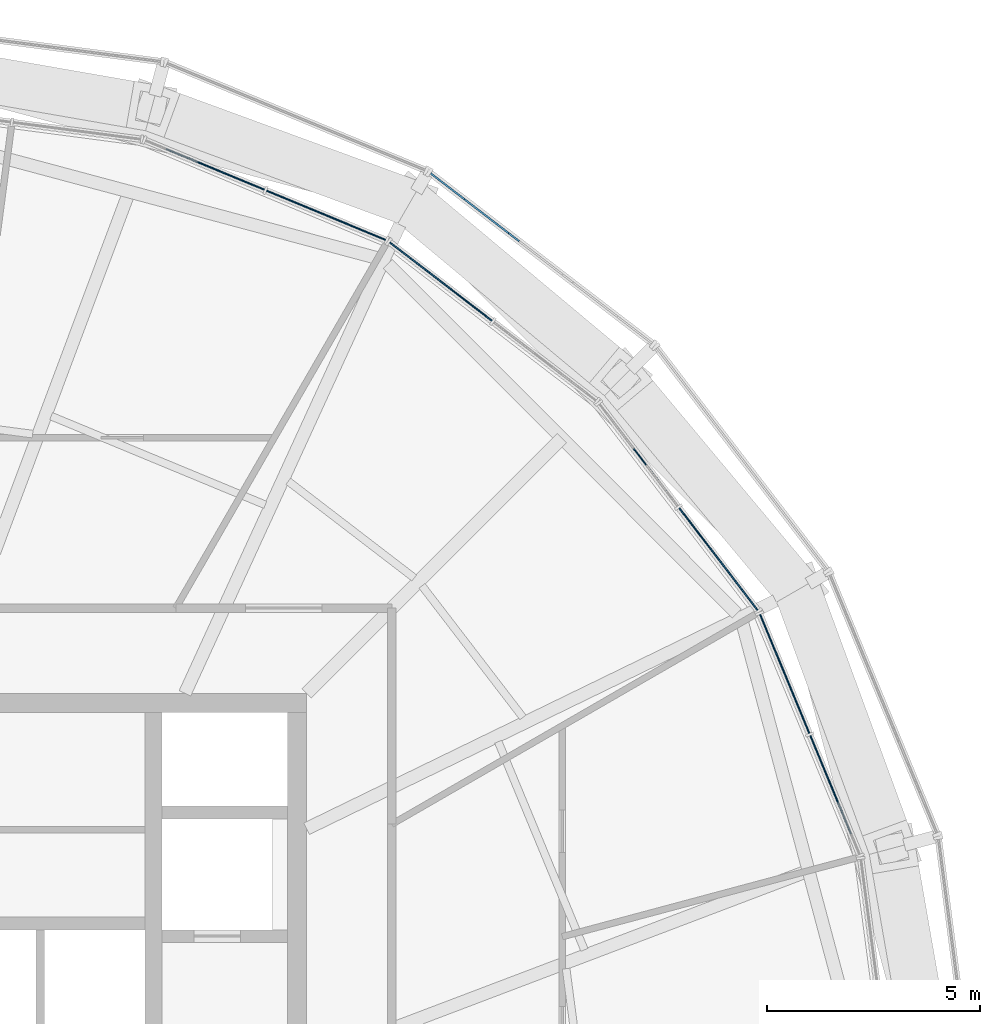
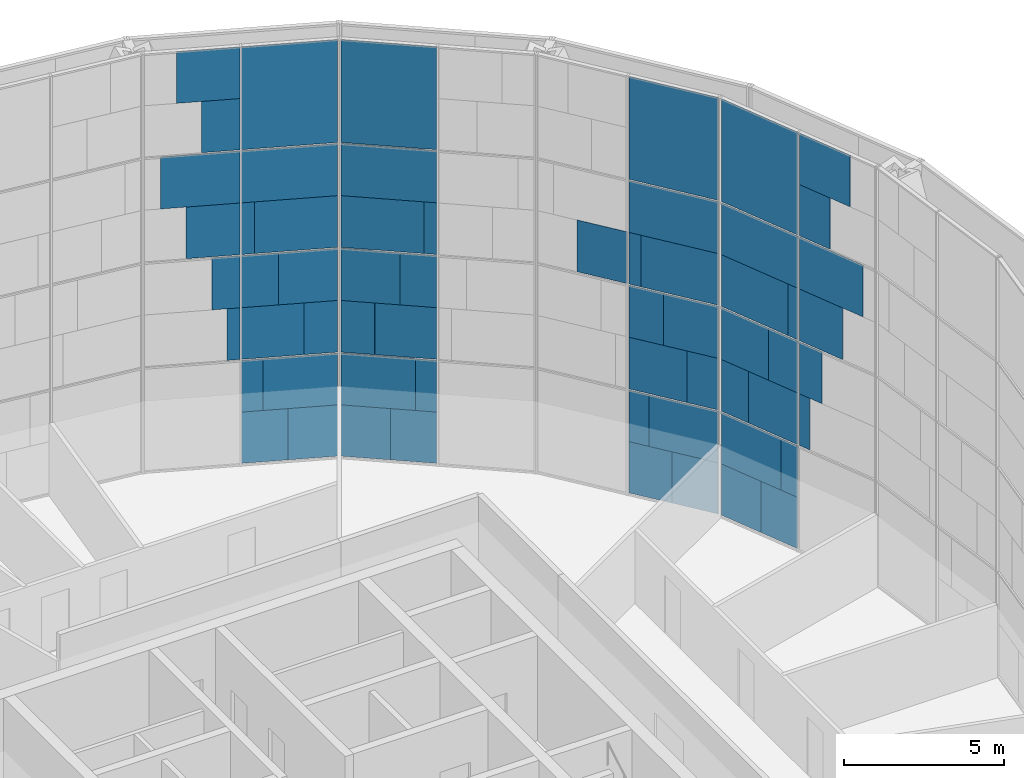
# One storey, part 23 of 28: 64 plates, 5 elements without a shape of their own.
"""IFC4 building model written with IfcOpenShell, lengths in metres."""

from ifc_helpers import new_model, si_unit, direction, frame, origin, origin_2d, place, context, subcontext, project, spatial, rectangle, extrude, material, layer, layer_set, type_object, element, aggregate, save


model = new_model("IFC4")

# Units and contexts
model_context = context("Model", 3, precision=1e-05, world=origin(), true_north=direction((0.0, 1.0)))
body_context = subcontext(model_context, "Body", "Model", "MODEL_VIEW")
ifc_project = project(units=[si_unit("LENGTHUNIT", "METRE"), si_unit("AREAUNIT", "SQUARE_METRE"), si_unit("VOLUMEUNIT", "CUBIC_METRE"), si_unit("PLANEANGLEUNIT", "RADIAN"), si_unit("MASSUNIT", "GRAM", prefix="KILO")], contexts=[model_context])

# Site, building, storey
site_placement = place(None, origin())
site = spatial("IfcSite", under=ifc_project, at=site_placement, CompositionType="ELEMENT")
building_placement = place(site_placement, origin())
building = spatial("IfcBuilding", under=site, at=building_placement, Name="Golbaran Civic Tower", CompositionType="ELEMENT")
storey_placement = place(building_placement, frame((0.0, 0.0, 183.0)))
storey = spatial("IfcBuildingStorey", under=building, at=storey_placement, Name="L44", CompositionType="ELEMENT", Elevation=183.0)

# Curtain wall, plates
ifc_material_1 = material(Name="Aluminium and glass", Category="aluminium")
curtain_wall_type_1 = type_object("IfcCurtainWallType", Name="INNER SKIN CURTAIN WALL EXECUTIVE", PredefinedType="NOTDEFINED", material=ifc_material_1)
curtain_wall_1_placement = place(storey_placement, origin())
curtain_wall_1 = element("IfcCurtainWall", 1, at=curtain_wall_1_placement, inside=storey, type_object=curtain_wall_type_1, Name="Inner skin L44 facet 2 CW2", ObjectType="INNER SKIN", PredefinedType="USERDEFINED")
ifc_material_2 = material(Name="Clear insulating glass", Category="glass")
ifc_layer_1 = layer(ifc_material_2, 0.031982421875, Name="Clear insulating glass")
ifc_layer_set_1 = layer_set([ifc_layer_1], Name="Clear insulating glass")
plate_type_1 = type_object("IfcPlateType", Name="INNER SKIN CURTAIN WALL EXECUTIVE GLAZED PANEL", PredefinedType="CURTAIN_PANEL", material=ifc_layer_set_1)
plate_1_placement = place(storey_placement, frame((22.053955078125, 8.44873046875, 12.030029296875), z_axis=(0.0, 0.0, 1.0), x_axis=(-0.382683432413, 0.923879532491, 0.0)))
plate_1 = element("IfcPlate", 2, at=plate_1_placement, type_object=plate_type_1, Name="CW2 panel 1.4 part 2", PredefinedType="CURTAIN_PANEL", context=body_context, shape_type="SweptSolid", body=[
    extrude(rectangle(XDim=1.2080078125, YDim=0.031982421875, at=origin_2d()), origin(), (0.0, 0.0, 1.0), 1.955078125),
])
plate_2_placement = place(storey_placement, frame((22.20458984375, 8.084716796875, 13.98486328125), z_axis=(0.0, 0.0, 1.0), x_axis=(-0.382683432413, 0.923879532491, 0.0)))
plate_2 = element("IfcPlate", 3, at=plate_2_placement, type_object=plate_type_1, Name="CW2 panel 1.4 part 4", PredefinedType="CURTAIN_PANEL", context=body_context, shape_type="SweptSolid", body=[
    extrude(rectangle(XDim=1.99609375, YDim=0.031982421875, at=origin_2d()), origin(), (0.0, 0.0, 1.0), 1.955078125),
])
plate_3_placement = place(storey_placement, frame((21.5205078125, 9.736083984375, 0.06005859375), z_axis=(0.0, 0.0, 1.0), x_axis=(-0.382683432413, 0.923879532491, 0.0)))
plate_3 = element("IfcPlate", 4, at=plate_3_placement, type_object=plate_type_1, Name="CW2 panel 2.1 part 1", PredefinedType="CURTAIN_PANEL", context=body_context, shape_type="SweptSolid", body=[
    extrude(rectangle(XDim=1.458984375, YDim=0.031982421875, at=origin_2d()), origin(), (0.0, 0.0, 1.0), 1.955078125),
])
plate_4_placement = place(storey_placement, frame((21.671630859375, 9.371826171875, 2.014892578125), z_axis=(0.0, 0.0, 1.0), x_axis=(-0.382683432413, 0.923879532491, 0.0)))
plate_4 = element("IfcPlate", 5, at=plate_4_placement, type_object=plate_type_1, Name="CW2 panel 2.1 part 3", PredefinedType="CURTAIN_PANEL", context=body_context, shape_type="SweptSolid", body=[
    extrude(rectangle(XDim=0.669921875, YDim=0.031982421875, at=origin_2d()), origin(), (0.0, 0.0, 1.0), 1.955078125),
])
plate_5_placement = place(storey_placement, frame((20.84765625, 11.36083984375, 4.02978515625), z_axis=(0.0, 0.0, 1.0), x_axis=(-0.382683432413, 0.923879532491, 0.0)))
plate_5 = element("IfcPlate", 6, at=plate_5_placement, type_object=plate_type_1, Name="CW2 panel 2.2 part 2", PredefinedType="CURTAIN_PANEL", context=body_context, shape_type="SweptSolid", body=[
    extrude(rectangle(XDim=1.06005859375, YDim=0.031982421875, at=origin_2d()), origin(), (0.0, 0.0, 1.0), 1.969970703125),
])
plate_6_placement = place(storey_placement, frame((20.999755859375, 10.99365234375, 6.0), z_axis=(0.0, 0.0, 1.0), x_axis=(-0.382683432413, 0.923879532491, 0.0)))
plate_6 = element("IfcPlate", 7, at=plate_6_placement, type_object=plate_type_1, Name="CW2 panel 2.2 part 4", PredefinedType="CURTAIN_PANEL", context=body_context, shape_type="SweptSolid", body=[
    extrude(rectangle(XDim=1.85498046875, YDim=0.031982421875, at=origin_2d()), origin(), (0.0, 0.0, 1.0), 1.969970703125),
])
plate_7_placement = place(storey_placement, frame((21.1455078125, 10.6416015625, 8.02978515625), z_axis=(0.0, 0.0, 1.0), x_axis=(-0.382683432413, 0.923879532491, 0.0)))
plate_7 = element("IfcPlate", 8, at=plate_7_placement, type_object=plate_type_1, Name="CW2 panel 2.3 part 2", PredefinedType="CURTAIN_PANEL", context=body_context, shape_type="SweptSolid", body=[
    extrude(rectangle(XDim=2.6171875, YDim=0.031982421875, at=origin_2d()), origin(), (0.0, 0.0, 1.0), 1.969970703125),
])
plate_8_placement = place(storey_placement, frame((21.22216796875, 10.456298828125, 10.0), z_axis=(0.0, 0.0, 1.0), x_axis=(-0.382683432413, 0.923879532491, 0.0)))
plate_8 = element("IfcPlate", 9, at=plate_8_placement, type_object=plate_type_1, Name="CW2 panel 2.3 part 3", PredefinedType="CURTAIN_PANEL", context=body_context, shape_type="SweptSolid", body=[
    extrude(rectangle(XDim=3.01806640625, YDim=0.031982421875, at=origin_2d()), origin(), (0.0, 0.0, 1.0), 1.969970703125),
])
plate_9_placement = place(storey_placement, frame((21.22216796875, 10.456298828125, 12.0302734375), z_axis=(0.0, 0.0, 1.0), x_axis=(-0.382683432413, 0.923879532491, 0.0)))
plate_9 = element("IfcPlate", 10, at=plate_9_placement, type_object=plate_type_1, Name="CW2 panel 2.4", PredefinedType="CURTAIN_PANEL", context=body_context, shape_type="SweptSolid", body=[
    extrude(rectangle(XDim=3.01806640625, YDim=0.031982421875, at=origin_2d()), origin(), (0.0, 0.0, 1.0), 3.909912109375),
])

curtain_wall_2_placement = place(storey_placement, origin())
curtain_wall_2 = element("IfcCurtainWall", 11, at=curtain_wall_2_placement, inside=storey, type_object=curtain_wall_type_1, Name="Inner skin L44 facet 3 CW2", ObjectType="INNER SKIN", PredefinedType="USERDEFINED")
plate_10_placement = place(storey_placement, frame((19.192138671875, 13.769287109375, 0.06005859375), z_axis=(0.0, 0.0, 1.0), x_axis=(-0.608761428953, 0.793353340334, 0.0)))
plate_10 = element("IfcPlate", 12, at=plate_10_placement, type_object=plate_type_1, Name="CW2 panel 1.1 part 2", PredefinedType="CURTAIN_PANEL", context=body_context, shape_type="SweptSolid", body=[
    extrude(rectangle(XDim=1.458984375, YDim=0.031982421875, at=origin_2d()), origin(), (0.0, 0.0, 1.0), 1.955078125),
])
plate_11_placement = place(storey_placement, frame((18.951904296875, 14.082275390625, 2.014892578125), z_axis=(0.0, 0.0, 1.0), x_axis=(-0.608761428953, 0.793353340334, 0.0)))
plate_11 = element("IfcPlate", 13, at=plate_11_placement, type_object=plate_type_1, Name="CW2 panel 1.1 part 4", PredefinedType="CURTAIN_PANEL", context=body_context, shape_type="SweptSolid", body=[
    extrude(rectangle(XDim=0.670166015625, YDim=0.031982421875, at=origin_2d()), origin(), (0.0, 0.0, 1.0), 1.955078125),
])
plate_12_placement = place(storey_placement, frame((20.2626953125, 12.3740234375, 4.02978515625), z_axis=(0.0, 0.0, 1.0), x_axis=(-0.608761428953, 0.793353340334, 0.0)))
plate_12 = element("IfcPlate", 14, at=plate_12_placement, type_object=plate_type_1, Name="CW2 panel 1.2 part 1", PredefinedType="CURTAIN_PANEL", context=body_context, shape_type="SweptSolid", body=[
    extrude(rectangle(XDim=1.06005859375, YDim=0.031982421875, at=origin_2d()), origin(), (0.0, 0.0, 1.0), 1.969970703125),
])
plate_13_placement = place(storey_placement, frame((20.020751953125, 12.689453125, 6.0), z_axis=(0.0, 0.0, 1.0), x_axis=(-0.608761428953, 0.793353340334, 0.0)))
plate_13 = element("IfcPlate", 15, at=plate_13_placement, type_object=plate_type_1, Name="CW2 panel 1.2 part 3", PredefinedType="CURTAIN_PANEL", context=body_context, shape_type="SweptSolid", body=[
    extrude(rectangle(XDim=1.85498046875, YDim=0.031982421875, at=origin_2d()), origin(), (0.0, 0.0, 1.0), 1.969970703125),
])
plate_14_placement = place(storey_placement, frame((19.788818359375, 12.99169921875, 8.02978515625), z_axis=(0.0, 0.0, 1.0), x_axis=(-0.608761428953, 0.793353340334, 0.0)))
plate_14 = element("IfcPlate", 16, at=plate_14_placement, type_object=plate_type_1, Name="CW2 panel 1.3 part 1", PredefinedType="CURTAIN_PANEL", context=body_context, shape_type="SweptSolid", body=[
    extrude(rectangle(XDim=2.616943359375, YDim=0.031982421875, at=origin_2d()), origin(), (0.0, 0.0, 1.0), 1.969970703125),
])
plate_15_placement = place(storey_placement, frame((19.66650390625, 13.15087890625, 10.0), z_axis=(0.0, 0.0, 1.0), x_axis=(-0.608761428953, 0.793353340334, 0.0)))
plate_15 = element("IfcPlate", 17, at=plate_15_placement, type_object=plate_type_1, Name="CW2 panel 1.3 part 3", PredefinedType="CURTAIN_PANEL", context=body_context, shape_type="SweptSolid", body=[
    extrude(rectangle(XDim=3.01806640625, YDim=0.031982421875, at=origin_2d()), origin(), (0.0, 0.0, 1.0), 1.969970703125),
])
plate_16_placement = place(storey_placement, frame((19.66650390625, 13.15087890625, 12.0302734375), z_axis=(0.0, 0.0, 1.0), x_axis=(-0.608761428953, 0.793353340334, 0.0)))
plate_16 = element("IfcPlate", 18, at=plate_16_placement, type_object=plate_type_1, Name="CW2 panel 1.4", PredefinedType="CURTAIN_PANEL", context=body_context, shape_type="SweptSolid", body=[
    extrude(rectangle(XDim=3.01806640625, YDim=0.031982421875, at=origin_2d()), origin(), (0.0, 0.0, 1.0), 3.909912109375),
])

curtain_wall_3_placement = place(storey_placement, origin())
curtain_wall_3 = element("IfcCurtainWall", 19, at=curtain_wall_3_placement, inside=storey, type_object=curtain_wall_type_1, Name="Inner skin L44 facet 4 CW2", ObjectType="INNER SKIN", PredefinedType="USERDEFINED")
plate_17_placement = place(storey_placement, frame((13.769287109375, 19.192138671875, 0.06005859375), z_axis=(0.0, 0.0, 1.0), x_axis=(-0.793353340334, 0.608761428953, 0.0)))
plate_17 = element("IfcPlate", 20, at=plate_17_placement, type_object=plate_type_1, Name="CW2 panel 2.1 part 1", PredefinedType="CURTAIN_PANEL", context=body_context, shape_type="SweptSolid", body=[
    extrude(rectangle(XDim=1.458984375, YDim=0.031982421875, at=origin_2d()), origin(), (0.0, 0.0, 1.0), 1.955078125),
])
plate_18_placement = place(storey_placement, frame((14.082275390625, 18.951904296875, 2.014892578125), z_axis=(0.0, 0.0, 1.0), x_axis=(-0.793353340334, 0.608761428953, 0.0)))
plate_18 = element("IfcPlate", 21, at=plate_18_placement, type_object=plate_type_1, Name="CW2 panel 2.1 part 3", PredefinedType="CURTAIN_PANEL", context=body_context, shape_type="SweptSolid", body=[
    extrude(rectangle(XDim=0.669921875, YDim=0.031982421875, at=origin_2d()), origin(), (0.0, 0.0, 1.0), 1.955078125),
])
plate_19_placement = place(storey_placement, frame((12.3740234375, 20.2626953125, 4.02978515625), z_axis=(0.0, 0.0, 1.0), x_axis=(-0.793353340334, 0.608761428953, 0.0)))
plate_19 = element("IfcPlate", 22, at=plate_19_placement, type_object=plate_type_1, Name="CW2 panel 2.2 part 2", PredefinedType="CURTAIN_PANEL", context=body_context, shape_type="SweptSolid", body=[
    extrude(rectangle(XDim=1.06005859375, YDim=0.031982421875, at=origin_2d()), origin(), (0.0, 0.0, 1.0), 1.969970703125),
])
plate_20_placement = place(storey_placement, frame((12.689453125, 20.0205078125, 6.0), z_axis=(0.0, 0.0, 1.0), x_axis=(-0.793353340334, 0.608761428953, 0.0)))
plate_20 = element("IfcPlate", 23, at=plate_20_placement, type_object=plate_type_1, Name="CW2 panel 2.2 part 4", PredefinedType="CURTAIN_PANEL", context=body_context, shape_type="SweptSolid", body=[
    extrude(rectangle(XDim=1.85498046875, YDim=0.031982421875, at=origin_2d()), origin(), (0.0, 0.0, 1.0), 1.969970703125),
])
plate_21_placement = place(storey_placement, frame((12.99169921875, 19.78857421875, 8.02978515625), z_axis=(0.0, 0.0, 1.0), x_axis=(-0.793353340334, 0.608761428953, 0.0)))
plate_21 = element("IfcPlate", 24, at=plate_21_placement, type_object=plate_type_1, Name="CW2 panel 2.3 part 2", PredefinedType="CURTAIN_PANEL", context=body_context, shape_type="SweptSolid", body=[
    extrude(rectangle(XDim=2.6171875, YDim=0.031982421875, at=origin_2d()), origin(), (0.0, 0.0, 1.0), 1.969970703125),
])
plate_22_placement = place(storey_placement, frame((13.15087890625, 19.66650390625, 10.0), z_axis=(0.0, 0.0, 1.0), x_axis=(-0.793353340334, 0.608761428953, 0.0)))
plate_22 = element("IfcPlate", 25, at=plate_22_placement, type_object=plate_type_1, Name="CW2 panel 2.3 part 3", PredefinedType="CURTAIN_PANEL", context=body_context, shape_type="SweptSolid", body=[
    extrude(rectangle(XDim=3.01806640625, YDim=0.031982421875, at=origin_2d()), origin(), (0.0, 0.0, 1.0), 1.969970703125),
])
plate_23_placement = place(storey_placement, frame((13.15087890625, 19.66650390625, 12.0302734375), z_axis=(0.0, 0.0, 1.0), x_axis=(-0.793353340334, 0.608761428953, 0.0)))
plate_23 = element("IfcPlate", 26, at=plate_23_placement, type_object=plate_type_1, Name="CW2 panel 2.4", PredefinedType="CURTAIN_PANEL", context=body_context, shape_type="SweptSolid", body=[
    extrude(rectangle(XDim=3.01806640625, YDim=0.031982421875, at=origin_2d()), origin(), (0.0, 0.0, 1.0), 3.909912109375),
])

curtain_wall_4_placement = place(storey_placement, origin())
curtain_wall_4 = element("IfcCurtainWall", 27, at=curtain_wall_4_placement, inside=storey, type_object=curtain_wall_type_1, Name="Inner skin L44 facet 5 CW2", ObjectType="INNER SKIN", PredefinedType="USERDEFINED")
plate_24_placement = place(storey_placement, frame((9.736328125, 21.5205078125, 0.06005859375), z_axis=(0.0, 0.0, 1.0), x_axis=(-0.923879532491, 0.382683432413, 0.0)))
plate_24 = element("IfcPlate", 28, at=plate_24_placement, type_object=plate_type_1, Name="CW2 panel 1.1 part 2", PredefinedType="CURTAIN_PANEL", context=body_context, shape_type="SweptSolid", body=[
    extrude(rectangle(XDim=1.458984375, YDim=0.031982421875, at=origin_2d()), origin(), (0.0, 0.0, 1.0), 1.955078125),
])
plate_25_placement = place(storey_placement, frame((9.371826171875, 21.671630859375, 2.014892578125), z_axis=(0.0, 0.0, 1.0), x_axis=(-0.923879532491, 0.382683432413, 0.0)))
plate_25 = element("IfcPlate", 29, at=plate_25_placement, type_object=plate_type_1, Name="CW2 panel 1.1 part 4", PredefinedType="CURTAIN_PANEL", context=body_context, shape_type="SweptSolid", body=[
    extrude(rectangle(XDim=0.670166015625, YDim=0.031982421875, at=origin_2d()), origin(), (0.0, 0.0, 1.0), 1.955078125),
])
plate_26_placement = place(storey_placement, frame((11.36083984375, 20.84765625, 4.02978515625), z_axis=(0.0, 0.0, 1.0), x_axis=(-0.923879532491, 0.382683432413, 0.0)))
plate_26 = element("IfcPlate", 30, at=plate_26_placement, type_object=plate_type_1, Name="CW2 panel 1.2 part 1", PredefinedType="CURTAIN_PANEL", context=body_context, shape_type="SweptSolid", body=[
    extrude(rectangle(XDim=1.06005859375, YDim=0.031982421875, at=origin_2d()), origin(), (0.0, 0.0, 1.0), 1.969970703125),
])
plate_27_placement = place(storey_placement, frame((10.99365234375, 20.999755859375, 6.0), z_axis=(0.0, 0.0, 1.0), x_axis=(-0.923879532491, 0.382683432413, 0.0)))
plate_27 = element("IfcPlate", 31, at=plate_27_placement, type_object=plate_type_1, Name="CW2 panel 1.2 part 3", PredefinedType="CURTAIN_PANEL", context=body_context, shape_type="SweptSolid", body=[
    extrude(rectangle(XDim=1.85498046875, YDim=0.031982421875, at=origin_2d()), origin(), (0.0, 0.0, 1.0), 1.969970703125),
])
plate_28_placement = place(storey_placement, frame((10.6416015625, 21.1455078125, 8.02978515625), z_axis=(0.0, 0.0, 1.0), x_axis=(-0.923879532491, 0.382683432413, 0.0)))
plate_28 = element("IfcPlate", 32, at=plate_28_placement, type_object=plate_type_1, Name="CW2 panel 1.3 part 1", PredefinedType="CURTAIN_PANEL", context=body_context, shape_type="SweptSolid", body=[
    extrude(rectangle(XDim=2.616943359375, YDim=0.031982421875, at=origin_2d()), origin(), (0.0, 0.0, 1.0), 1.969970703125),
])
plate_29_placement = place(storey_placement, frame((10.456298828125, 21.22216796875, 10.0), z_axis=(0.0, 0.0, 1.0), x_axis=(-0.923879532491, 0.382683432413, 0.0)))
plate_29 = element("IfcPlate", 33, at=plate_29_placement, type_object=plate_type_1, Name="CW2 panel 1.3 part 3", PredefinedType="CURTAIN_PANEL", context=body_context, shape_type="SweptSolid", body=[
    extrude(rectangle(XDim=3.01806640625, YDim=0.031982421875, at=origin_2d()), origin(), (0.0, 0.0, 1.0), 1.969970703125),
])
plate_30_placement = place(storey_placement, frame((10.456298828125, 21.22216796875, 12.0302734375), z_axis=(0.0, 0.0, 1.0), x_axis=(-0.923879532491, 0.382683432413, 0.0)))
plate_30 = element("IfcPlate", 34, at=plate_30_placement, type_object=plate_type_1, Name="CW2 panel 1.4", PredefinedType="CURTAIN_PANEL", context=body_context, shape_type="SweptSolid", body=[
    extrude(rectangle(XDim=3.01806640625, YDim=0.031982421875, at=origin_2d()), origin(), (0.0, 0.0, 1.0), 3.909912109375),
])
plate_31_placement = place(storey_placement, frame((8.44873046875, 22.0537109375, 12.030029296875), z_axis=(0.0, 0.0, 1.0), x_axis=(-0.923879532491, 0.382683432413, 0.0)))
plate_31 = element("IfcPlate", 35, at=plate_31_placement, type_object=plate_type_1, Name="CW2 panel 2.4 part 1", PredefinedType="CURTAIN_PANEL", context=body_context, shape_type="SweptSolid", body=[
    extrude(rectangle(XDim=1.2080078125, YDim=0.031982421875, at=origin_2d()), origin(), (0.0, 0.0, 1.0), 1.955078125),
])
plate_32_placement = place(storey_placement, frame((8.084716796875, 22.20458984375, 13.98486328125), z_axis=(0.0, 0.0, 1.0), x_axis=(-0.923879532491, 0.382683432413, 0.0)))
plate_32 = element("IfcPlate", 36, at=plate_32_placement, type_object=plate_type_1, Name="CW2 panel 2.4 part 3", PredefinedType="CURTAIN_PANEL", context=body_context, shape_type="SweptSolid", body=[
    extrude(rectangle(XDim=1.99609375, YDim=0.031982421875, at=origin_2d()), origin(), (0.0, 0.0, 1.0), 1.955078125),
])

# Plate
ifc_material_3 = material(Name="Aluminium faced opaque infill panel", Category="aluminium")
ifc_layer_2 = layer(ifc_material_3, 0.031982421875, Name="Aluminium faced opaque infill panel")
ifc_layer_set_2 = layer_set([ifc_layer_2], Name="Aluminium faced opaque infill panel")
plate_type_2 = type_object("IfcPlateType", Name="INNER SKIN CURTAIN WALL EXECUTIVE OPAQUE INFILL PANEL", PredefinedType="CURTAIN_PANEL", material=ifc_layer_set_2)
plate_33_placement = place(storey_placement, frame((21.8994140625, 8.821533203125, 4.02978515625), z_axis=(0.0, 0.0, 1.0), x_axis=(-0.382683432413, 0.923879532491, 0.0)))
plate_33 = element("IfcPlate", 37, at=plate_33_placement, type_object=plate_type_2, Name="CW2 infill panel 1.2 part 2", PredefinedType="CURTAIN_PANEL", context=body_context, shape_type="SweptSolid", body=[
    extrude(rectangle(XDim=0.401123046875, YDim=0.031982421875, at=origin_2d()), origin(), (0.0, 0.0, 1.0), 1.969970703125),
])

plate_34_placement = place(storey_placement, frame((21.991455078125, 8.599365234375, 6.0), z_axis=(0.0, 0.0, 1.0), x_axis=(-0.382683432413, 0.923879532491, 0.0)))
plate_34 = element("IfcPlate", 38, at=plate_34_placement, type_object=plate_type_2, Name="CW2 infill panel 1.2 part 4", PredefinedType="CURTAIN_PANEL", context=body_context, shape_type="SweptSolid", body=[
    extrude(rectangle(XDim=0.882080078125, YDim=0.031982421875, at=origin_2d()), origin(), (0.0, 0.0, 1.0), 1.969970703125),
])

plate_35_placement = place(storey_placement, frame((22.148193359375, 8.220947265625, 8.02978515625), z_axis=(0.0, 0.0, 1.0), x_axis=(-0.382683432413, 0.923879532491, 0.0)))
plate_35 = element("IfcPlate", 39, at=plate_35_placement, type_object=plate_type_2, Name="CW2 infill panel 1.3 part 2", PredefinedType="CURTAIN_PANEL", context=body_context, shape_type="SweptSolid", body=[
    extrude(rectangle(XDim=1.701171875, YDim=0.031982421875, at=origin_2d()), origin(), (0.0, 0.0, 1.0), 1.969970703125),
])

plate_36_placement = place(storey_placement, frame((22.300048828125, 7.854248046875, 10.0), z_axis=(0.0, 0.0, 1.0), x_axis=(-0.382683432413, 0.923879532491, 0.0)))
plate_36 = element("IfcPlate", 40, at=plate_36_placement, type_object=plate_type_2, Name="CW2 infill panel 1.3 part 4", PredefinedType="CURTAIN_PANEL", context=body_context, shape_type="SweptSolid", body=[
    extrude(rectangle(XDim=2.4951171875, YDim=0.031982421875, at=origin_2d()), origin(), (0.0, 0.0, 1.0), 1.969970703125),
])

plate_37_placement = place(storey_placement, frame((20.943115234375, 11.13037109375, 0.06005859375), z_axis=(0.0, 0.0, 1.0), x_axis=(-0.382683432413, 0.923879532491, 0.0)))
plate_37 = element("IfcPlate", 41, at=plate_37_placement, type_object=plate_type_2, Name="CW2 infill panel 2.1 part 2", PredefinedType="CURTAIN_PANEL", context=body_context, shape_type="SweptSolid", body=[
    extrude(rectangle(XDim=1.55908203125, YDim=0.031982421875, at=origin_2d()), origin(), (0.0, 0.0, 1.0), 1.955078125),
])

plate_38_placement = place(storey_placement, frame((21.093994140625, 10.765869140625, 2.014892578125), z_axis=(0.0, 0.0, 1.0), x_axis=(-0.382683432413, 0.923879532491, 0.0)))
plate_38 = element("IfcPlate", 42, at=plate_38_placement, type_object=plate_type_2, Name="CW2 infill panel 2.1 part 4", PredefinedType="CURTAIN_PANEL", context=body_context, shape_type="SweptSolid", body=[
    extrude(rectangle(XDim=2.34814453125, YDim=0.031982421875, at=origin_2d()), origin(), (0.0, 0.0, 1.0), 1.955078125),
])

plate_39_placement = place(storey_placement, frame((21.425048828125, 9.966796875, 4.02978515625), z_axis=(0.0, 0.0, 1.0), x_axis=(-0.382683432413, 0.923879532491, 0.0)))
plate_39 = element("IfcPlate", 43, at=plate_39_placement, type_object=plate_type_2, Name="CW2 infill panel 2.2 part 1", PredefinedType="CURTAIN_PANEL", context=body_context, shape_type="SweptSolid", body=[
    extrude(rectangle(XDim=1.9580078125, YDim=0.031982421875, at=origin_2d()), origin(), (0.0, 0.0, 1.0), 1.969970703125),
])

plate_40_placement = place(storey_placement, frame((21.5771484375, 9.599365234375, 6.0), z_axis=(0.0, 0.0, 1.0), x_axis=(-0.382683432413, 0.923879532491, 0.0)))
plate_40 = element("IfcPlate", 44, at=plate_40_placement, type_object=plate_type_2, Name="CW2 infill panel 2.2 part 3", PredefinedType="CURTAIN_PANEL", context=body_context, shape_type="SweptSolid", body=[
    extrude(rectangle(XDim=1.1630859375, YDim=0.031982421875, at=origin_2d()), origin(), (0.0, 0.0, 1.0), 1.969970703125),
])

plate_41_placement = place(storey_placement, frame((21.722900390625, 9.24755859375, 8.02978515625), z_axis=(0.0, 0.0, 1.0), x_axis=(-0.382683432413, 0.923879532491, 0.0)))
plate_41 = element("IfcPlate", 45, at=plate_41_placement, type_object=plate_type_2, Name="CW2 infill panel 2.3 part 1", PredefinedType="CURTAIN_PANEL", context=body_context, shape_type="SweptSolid", body=[
    extrude(rectangle(XDim=0.40087890625, YDim=0.031982421875, at=origin_2d()), origin(), (0.0, 0.0, 1.0), 1.969970703125),
])

aggregate(curtain_wall_1, [plate_33, plate_34, plate_35, plate_36, plate_1, plate_2, plate_3, plate_37, plate_4, plate_38, plate_39, plate_5, plate_40, plate_6, plate_41, plate_7, plate_8, plate_9])

plate_42_placement = place(storey_placement, frame((20.11083984375, 12.572021484375, 0.06005859375), z_axis=(0.0, 0.0, 1.0), x_axis=(-0.608761428953, 0.793353340334, 0.0)))
plate_42 = element("IfcPlate", 46, at=plate_42_placement, type_object=plate_type_2, Name="CW2 infill panel 1.1 part 1", PredefinedType="CURTAIN_PANEL", context=body_context, shape_type="SweptSolid", body=[
    extrude(rectangle(XDim=1.55908203125, YDim=0.031982421875, at=origin_2d()), origin(), (0.0, 0.0, 1.0), 1.955078125),
])

plate_43_placement = place(storey_placement, frame((19.87060546875, 12.885009765625, 2.014892578125), z_axis=(0.0, 0.0, 1.0), x_axis=(-0.608761428953, 0.793353340334, 0.0)))
plate_43 = element("IfcPlate", 47, at=plate_43_placement, type_object=plate_type_2, Name="CW2 infill panel 1.1 part 3", PredefinedType="CURTAIN_PANEL", context=body_context, shape_type="SweptSolid", body=[
    extrude(rectangle(XDim=2.347900390625, YDim=0.031982421875, at=origin_2d()), origin(), (0.0, 0.0, 1.0), 1.955078125),
])

plate_44_placement = place(storey_placement, frame((19.343994140625, 13.5712890625, 4.02978515625), z_axis=(0.0, 0.0, 1.0), x_axis=(-0.608761428953, 0.793353340334, 0.0)))
plate_44 = element("IfcPlate", 48, at=plate_44_placement, type_object=plate_type_2, Name="CW2 infill panel 1.2 part 2", PredefinedType="CURTAIN_PANEL", context=body_context, shape_type="SweptSolid", body=[
    extrude(rectangle(XDim=1.9580078125, YDim=0.031982421875, at=origin_2d()), origin(), (0.0, 0.0, 1.0), 1.969970703125),
])

plate_45_placement = place(storey_placement, frame((19.10205078125, 13.88671875, 6.0), z_axis=(0.0, 0.0, 1.0), x_axis=(-0.608761428953, 0.793353340334, 0.0)))
plate_45 = element("IfcPlate", 49, at=plate_45_placement, type_object=plate_type_2, Name="CW2 infill panel 1.2 part 4", PredefinedType="CURTAIN_PANEL", context=body_context, shape_type="SweptSolid", body=[
    extrude(rectangle(XDim=1.1630859375, YDim=0.031982421875, at=origin_2d()), origin(), (0.0, 0.0, 1.0), 1.969970703125),
])

plate_46_placement = place(storey_placement, frame((18.8701171875, 14.18896484375, 8.02978515625), z_axis=(0.0, 0.0, 1.0), x_axis=(-0.608761428953, 0.793353340334, 0.0)))
plate_46 = element("IfcPlate", 50, at=plate_46_placement, type_object=plate_type_2, Name="CW2 infill panel 1.3 part 2", PredefinedType="CURTAIN_PANEL", context=body_context, shape_type="SweptSolid", body=[
    extrude(rectangle(XDim=0.401123046875, YDim=0.031982421875, at=origin_2d()), origin(), (0.0, 0.0, 1.0), 1.969970703125),
])

plate_47_placement = place(storey_placement, frame((18.193603515625, 15.0703125, 8.02978515625), z_axis=(0.0, 0.0, 1.0), x_axis=(-0.608761428953, 0.793353340334, 0.0)))
plate_47 = element("IfcPlate", 51, at=plate_47_placement, type_object=plate_type_2, Name="CW2 infill panel 2.3 part 1", PredefinedType="CURTAIN_PANEL", context=body_context, shape_type="SweptSolid", body=[
    extrude(rectangle(XDim=1.700927734375, YDim=0.031982421875, at=origin_2d()), origin(), (0.0, 0.0, 1.0), 1.969970703125),
])

aggregate(curtain_wall_2, [plate_42, plate_10, plate_43, plate_11, plate_12, plate_44, plate_13, plate_45, plate_14, plate_46, plate_15, plate_16, plate_47])

plate_48_placement = place(storey_placement, frame((12.572021484375, 20.110595703125, 0.06005859375), z_axis=(0.0, 0.0, 1.0), x_axis=(-0.793353340334, 0.608761428953, 0.0)))
plate_48 = element("IfcPlate", 52, at=plate_48_placement, type_object=plate_type_2, Name="CW2 infill panel 2.1 part 2", PredefinedType="CURTAIN_PANEL", context=body_context, shape_type="SweptSolid", body=[
    extrude(rectangle(XDim=1.55908203125, YDim=0.031982421875, at=origin_2d()), origin(), (0.0, 0.0, 1.0), 1.955078125),
])

plate_49_placement = place(storey_placement, frame((12.885009765625, 19.87060546875, 2.014892578125), z_axis=(0.0, 0.0, 1.0), x_axis=(-0.793353340334, 0.608761428953, 0.0)))
plate_49 = element("IfcPlate", 53, at=plate_49_placement, type_object=plate_type_2, Name="CW2 infill panel 2.1 part 4", PredefinedType="CURTAIN_PANEL", context=body_context, shape_type="SweptSolid", body=[
    extrude(rectangle(XDim=2.34814453125, YDim=0.031982421875, at=origin_2d()), origin(), (0.0, 0.0, 1.0), 1.955078125),
])

plate_50_placement = place(storey_placement, frame((13.5712890625, 19.343994140625, 4.02978515625), z_axis=(0.0, 0.0, 1.0), x_axis=(-0.793353340334, 0.608761428953, 0.0)))
plate_50 = element("IfcPlate", 54, at=plate_50_placement, type_object=plate_type_2, Name="CW2 infill panel 2.2 part 1", PredefinedType="CURTAIN_PANEL", context=body_context, shape_type="SweptSolid", body=[
    extrude(rectangle(XDim=1.9580078125, YDim=0.031982421875, at=origin_2d()), origin(), (0.0, 0.0, 1.0), 1.969970703125),
])

plate_51_placement = place(storey_placement, frame((13.88671875, 19.10205078125, 6.0), z_axis=(0.0, 0.0, 1.0), x_axis=(-0.793353340334, 0.608761428953, 0.0)))
plate_51 = element("IfcPlate", 55, at=plate_51_placement, type_object=plate_type_2, Name="CW2 infill panel 2.2 part 3", PredefinedType="CURTAIN_PANEL", context=body_context, shape_type="SweptSolid", body=[
    extrude(rectangle(XDim=1.1630859375, YDim=0.031982421875, at=origin_2d()), origin(), (0.0, 0.0, 1.0), 1.969970703125),
])

plate_52_placement = place(storey_placement, frame((14.18896484375, 18.8701171875, 8.02978515625), z_axis=(0.0, 0.0, 1.0), x_axis=(-0.793353340334, 0.608761428953, 0.0)))
plate_52 = element("IfcPlate", 56, at=plate_52_placement, type_object=plate_type_2, Name="CW2 infill panel 2.3 part 1", PredefinedType="CURTAIN_PANEL", context=body_context, shape_type="SweptSolid", body=[
    extrude(rectangle(XDim=0.40087890625, YDim=0.031982421875, at=origin_2d()), origin(), (0.0, 0.0, 1.0), 1.969970703125),
])

aggregate(curtain_wall_3, [plate_17, plate_48, plate_18, plate_49, plate_50, plate_19, plate_51, plate_20, plate_52, plate_21, plate_22, plate_23])

plate_53_placement = place(storey_placement, frame((11.13037109375, 20.943115234375, 0.06005859375), z_axis=(0.0, 0.0, 1.0), x_axis=(-0.923879532491, 0.382683432413, 0.0)))
plate_53 = element("IfcPlate", 57, at=plate_53_placement, type_object=plate_type_2, Name="CW2 infill panel 1.1 part 1", PredefinedType="CURTAIN_PANEL", context=body_context, shape_type="SweptSolid", body=[
    extrude(rectangle(XDim=1.55908203125, YDim=0.031982421875, at=origin_2d()), origin(), (0.0, 0.0, 1.0), 1.955078125),
])

plate_54_placement = place(storey_placement, frame((10.765869140625, 21.093994140625, 2.014892578125), z_axis=(0.0, 0.0, 1.0), x_axis=(-0.923879532491, 0.382683432413, 0.0)))
plate_54 = element("IfcPlate", 58, at=plate_54_placement, type_object=plate_type_2, Name="CW2 infill panel 1.1 part 3", PredefinedType="CURTAIN_PANEL", context=body_context, shape_type="SweptSolid", body=[
    extrude(rectangle(XDim=2.347900390625, YDim=0.031982421875, at=origin_2d()), origin(), (0.0, 0.0, 1.0), 1.955078125),
])

plate_55_placement = place(storey_placement, frame((9.966796875, 21.425048828125, 4.02978515625), z_axis=(0.0, 0.0, 1.0), x_axis=(-0.923879532491, 0.382683432413, 0.0)))
plate_55 = element("IfcPlate", 59, at=plate_55_placement, type_object=plate_type_2, Name="CW2 infill panel 1.2 part 2", PredefinedType="CURTAIN_PANEL", context=body_context, shape_type="SweptSolid", body=[
    extrude(rectangle(XDim=1.9580078125, YDim=0.031982421875, at=origin_2d()), origin(), (0.0, 0.0, 1.0), 1.969970703125),
])

plate_56_placement = place(storey_placement, frame((9.599609375, 21.5771484375, 6.0), z_axis=(0.0, 0.0, 1.0), x_axis=(-0.923879532491, 0.382683432413, 0.0)))
plate_56 = element("IfcPlate", 60, at=plate_56_placement, type_object=plate_type_2, Name="CW2 infill panel 1.2 part 4", PredefinedType="CURTAIN_PANEL", context=body_context, shape_type="SweptSolid", body=[
    extrude(rectangle(XDim=1.1630859375, YDim=0.031982421875, at=origin_2d()), origin(), (0.0, 0.0, 1.0), 1.969970703125),
])

plate_57_placement = place(storey_placement, frame((9.24755859375, 21.722900390625, 8.02978515625), z_axis=(0.0, 0.0, 1.0), x_axis=(-0.923879532491, 0.382683432413, 0.0)))
plate_57 = element("IfcPlate", 61, at=plate_57_placement, type_object=plate_type_2, Name="CW2 infill panel 1.3 part 2", PredefinedType="CURTAIN_PANEL", context=body_context, shape_type="SweptSolid", body=[
    extrude(rectangle(XDim=0.401123046875, YDim=0.031982421875, at=origin_2d()), origin(), (0.0, 0.0, 1.0), 1.969970703125),
])

plate_58_placement = place(storey_placement, frame((8.822021484375, 21.899169921875, 4.02978515625), z_axis=(0.0, 0.0, 1.0), x_axis=(-0.923879532491, 0.382683432413, 0.0)))
plate_58 = element("IfcPlate", 62, at=plate_58_placement, type_object=plate_type_2, Name="CW2 infill panel 2.2 part 1", PredefinedType="CURTAIN_PANEL", context=body_context, shape_type="SweptSolid", body=[
    extrude(rectangle(XDim=0.39990234375, YDim=0.031982421875, at=origin_2d()), origin(), (0.0, 0.0, 1.0), 1.969970703125),
])

plate_59_placement = place(storey_placement, frame((8.599365234375, 21.991455078125, 6.0), z_axis=(0.0, 0.0, 1.0), x_axis=(-0.923879532491, 0.382683432413, 0.0)))
plate_59 = element("IfcPlate", 63, at=plate_59_placement, type_object=plate_type_2, Name="CW2 infill panel 2.2 part 3", PredefinedType="CURTAIN_PANEL", context=body_context, shape_type="SweptSolid", body=[
    extrude(rectangle(XDim=0.882080078125, YDim=0.031982421875, at=origin_2d()), origin(), (0.0, 0.0, 1.0), 1.969970703125),
])

plate_60_placement = place(storey_placement, frame((8.220947265625, 22.148193359375, 8.02978515625), z_axis=(0.0, 0.0, 1.0), x_axis=(-0.923879532491, 0.382683432413, 0.0)))
plate_60 = element("IfcPlate", 64, at=plate_60_placement, type_object=plate_type_2, Name="CW2 infill panel 2.3 part 1", PredefinedType="CURTAIN_PANEL", context=body_context, shape_type="SweptSolid", body=[
    extrude(rectangle(XDim=1.700927734375, YDim=0.031982421875, at=origin_2d()), origin(), (0.0, 0.0, 1.0), 1.969970703125),
])

plate_61_placement = place(storey_placement, frame((7.854248046875, 22.300048828125, 10.0), z_axis=(0.0, 0.0, 1.0), x_axis=(-0.923879532491, 0.382683432413, 0.0)))
plate_61 = element("IfcPlate", 65, at=plate_61_placement, type_object=plate_type_2, Name="CW2 infill panel 2.3 part 3", PredefinedType="CURTAIN_PANEL", context=body_context, shape_type="SweptSolid", body=[
    extrude(rectangle(XDim=2.4951171875, YDim=0.031982421875, at=origin_2d()), origin(), (0.0, 0.0, 1.0), 1.969970703125),
])

aggregate(curtain_wall_4, [plate_53, plate_24, plate_54, plate_25, plate_26, plate_55, plate_27, plate_56, plate_28, plate_57, plate_29, plate_30, plate_58, plate_59, plate_60, plate_61, plate_31, plate_32])

# Curtain wall, plates
curtain_wall_type_2 = type_object("IfcCurtainWallType", Name="OUTER SKIN TERRACOTTA SCREEN", PredefinedType="NOTDEFINED", material=ifc_material_1)
curtain_wall_5_placement = place(storey_placement, origin())
curtain_wall_5 = element("IfcCurtainWall", 66, at=curtain_wall_5_placement, inside=storey, type_object=curtain_wall_type_2, Name="Outer skin L44 facet 4 CW3", ObjectType="OUTER SKIN", PredefinedType="USERDEFINED")
ifc_material_4 = material(Name="Clear laminated glass", Category="glass")
ifc_layer_3 = layer(ifc_material_4, 0.0400390625, Name="Clear laminated glass")
ifc_layer_set_3 = layer_set([ifc_layer_3], Name="Clear laminated glass")
plate_type_3 = type_object("IfcPlateType", Name="OUTER SKIN CLEAR GLASS PANEL", PredefinedType="CURTAIN_PANEL", material=ifc_layer_set_3)
plate_62_placement = place(storey_placement, frame((13.30712890625, 21.90234375, 3.31005859375), z_axis=(0.0, 0.0, 1.0), x_axis=(-0.793353340281, 0.608761429023, 0.0)))
plate_62 = element("IfcPlate", 67, at=plate_62_placement, type_object=plate_type_3, Name="CW3 panel 1.1 part 5", PredefinedType="CURTAIN_PANEL", context=body_context, shape_type="SweptSolid", body=[
    extrude(rectangle(XDim=0.996337890625, YDim=0.0400390625, at=origin_2d()), origin(), (0.0, 0.0, 1.0), 3.93994140625),
])
plate_63_placement = place(storey_placement, frame((13.9501953125, 21.408935546875, 7.330078125), z_axis=(0.0, 0.0, 1.0), x_axis=(-0.793353340281, 0.608761429023, 0.0)))
plate_63 = element("IfcPlate", 68, at=plate_63_placement, type_object=plate_type_3, Name="CW3 panel 1.2 part 3", PredefinedType="CURTAIN_PANEL", context=body_context, shape_type="SweptSolid", body=[
    extrude(rectangle(XDim=2.6171875, YDim=0.0400390625, at=origin_2d()), origin(), (0.0, 0.0, 1.0), 3.93994140625),
])
ifc_material_5 = material(Name="Terracotta baguette screen", Category="masonry")
ifc_layer_4 = layer(ifc_material_5, 0.0400390625, Name="Terracotta baguette screen")
ifc_layer_set_4 = layer_set([ifc_layer_4], Name="Terracotta baguette screen")
plate_type_4 = type_object("IfcPlateType", Name="OUTER SKIN TERRACOTTA INFILL PANEL", PredefinedType="CURTAIN_PANEL", material=ifc_layer_set_4)
plate_64_placement = place(storey_placement, frame((13.8271484375, 21.503173828125, -0.6298828125), z_axis=(0.0, 0.0, 1.0), x_axis=(-0.793353340281, 0.608761429023, 0.0)))
plate_64 = element("IfcPlate", 69, at=plate_64_placement, type_object=plate_type_4, Name="CW3 infill panel 1.1 part 2", PredefinedType="CURTAIN_PANEL", context=body_context, shape_type="SweptSolid", body=[
    extrude(rectangle(XDim=2.307373046875, YDim=0.0400390625, at=origin_2d()), origin(), (0.0, 0.0, 1.0), 3.93994140625),
])
aggregate(curtain_wall_5, [plate_64, plate_62, plate_63])

save(model, "model.ifc")
